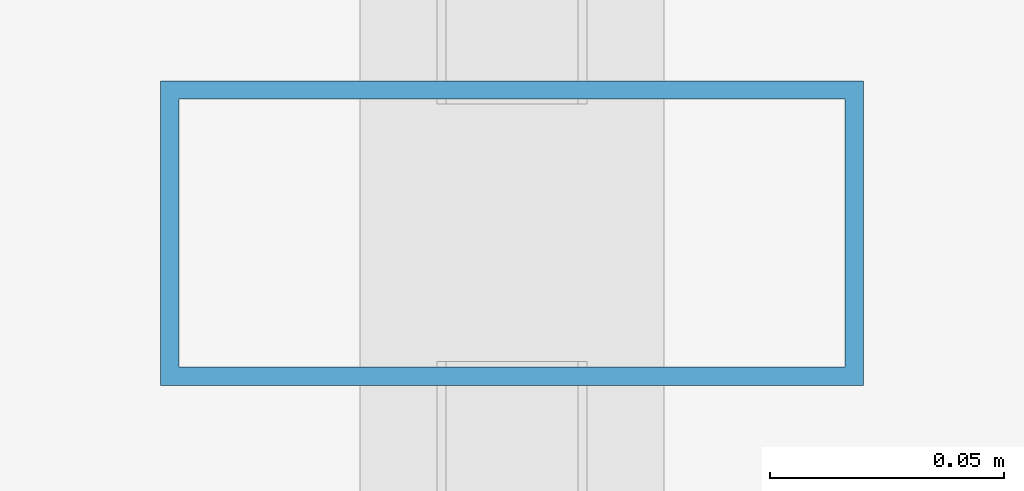
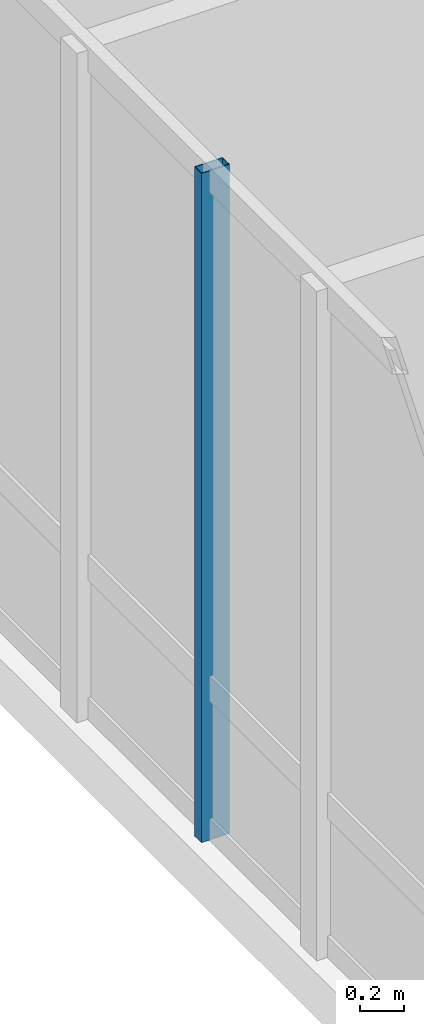
# One storey, part 7 of 23: 1 member, 1 element without a shape of its own.
"""IFC4 building model written with IfcOpenShell, lengths in metres."""

from ifc_helpers import new_model, si_unit, direction, frame, origin, origin_2d, place, context, subcontext, project, spatial, hollow_rectangle, extrude, material, layer, layer_set, material_profile, profile_set, type_object, element, aggregate, save


model = new_model("IFC4")

# Units and contexts
model_context = context("Model", 3, precision=1e-05, world=origin(), true_north=direction((0.0, 1.0)))
body_context = subcontext(model_context, "Body", "Model", "MODEL_VIEW")
ifc_project = project(units=[si_unit("LENGTHUNIT", "METRE"), si_unit("AREAUNIT", "SQUARE_METRE"), si_unit("VOLUMEUNIT", "CUBIC_METRE"), si_unit("PLANEANGLEUNIT", "RADIAN"), si_unit("MASSUNIT", "GRAM", prefix="KILO")], contexts=[model_context])

# Site, building, storey
site_placement = place(None, origin())
site = spatial("IfcSite", under=ifc_project, at=site_placement, CompositionType="ELEMENT")
building_placement = place(site_placement, origin())
building = spatial("IfcBuilding", under=site, at=building_placement, Name="Hatsunagi Terrace Concourse", CompositionType="ELEMENT")
storey_placement = place(building_placement, frame((0.0, 0.0, 281.949951171875)))
storey = spatial("IfcBuildingStorey", under=building, at=storey_placement, Name="L74", CompositionType="ELEMENT", Elevation=281.949951171875)

# Curtain wall, member
ifc_material_1 = material(Name="Anodised Aluminium Alloy 6063-T5", Category="aluminium")
ifc_layer = layer(ifc_material_1, 0.199951171875)
ifc_layer_set = layer_set([ifc_layer], Name="CrownWintergarden_CW06")
curtain_wall_type = type_object("IfcCurtainWallType", Name="CrownWintergarden_CW06", PredefinedType="NOTDEFINED", material=ifc_layer_set)
curtain_wall_placement = place(storey_placement, origin())
curtain_wall = element("IfcCurtainWall", 1, at=curtain_wall_placement, inside=storey, type_object=curtain_wall_type, Name="Unitised Curtain Wall CW-06 CW-L74-07", PredefinedType="NOTDEFINED")
ifc_material_2 = material(Name="Anodised Aluminium Alloy 6063-T5", Category="aluminium")
ifc_material_profile = material_profile(ifc_material_2, hollow_rectangle(XDim=0.06494140625, YDim=0.14990234375, WallThickness=0.00390625, at=origin_2d()), Name="ALU-MUL-150x65x4")
ifc_profile_set = profile_set([ifc_material_profile], Name="Anodised Aluminium Alloy 6063-T5")
member_type = type_object("IfcMemberType", Name="CurtainWallMullion_Crown_150x65", PredefinedType="MULLION", material=ifc_profile_set)
member_placement = place(storey_placement, frame((20.5400390625, 36.740966796875, 0.0), z_axis=(0.0, 0.0, 1.0), x_axis=(0.0, 1.0, 0.0)))
member = element("IfcMember", 2, at=member_placement, type_object=member_type, Name="Curtain Wall Mullion MUL-03", PredefinedType="MULLION", context=body_context, shape_type="SweptSolid", body=[
    extrude(hollow_rectangle(XDim=0.06494140625, YDim=0.14990234375, WallThickness=0.00390625, at=origin_2d()), origin(), (0.0, 0.0, 1.0), 3.75),
])
aggregate(curtain_wall, [member])

save(model, "model.ifc")
